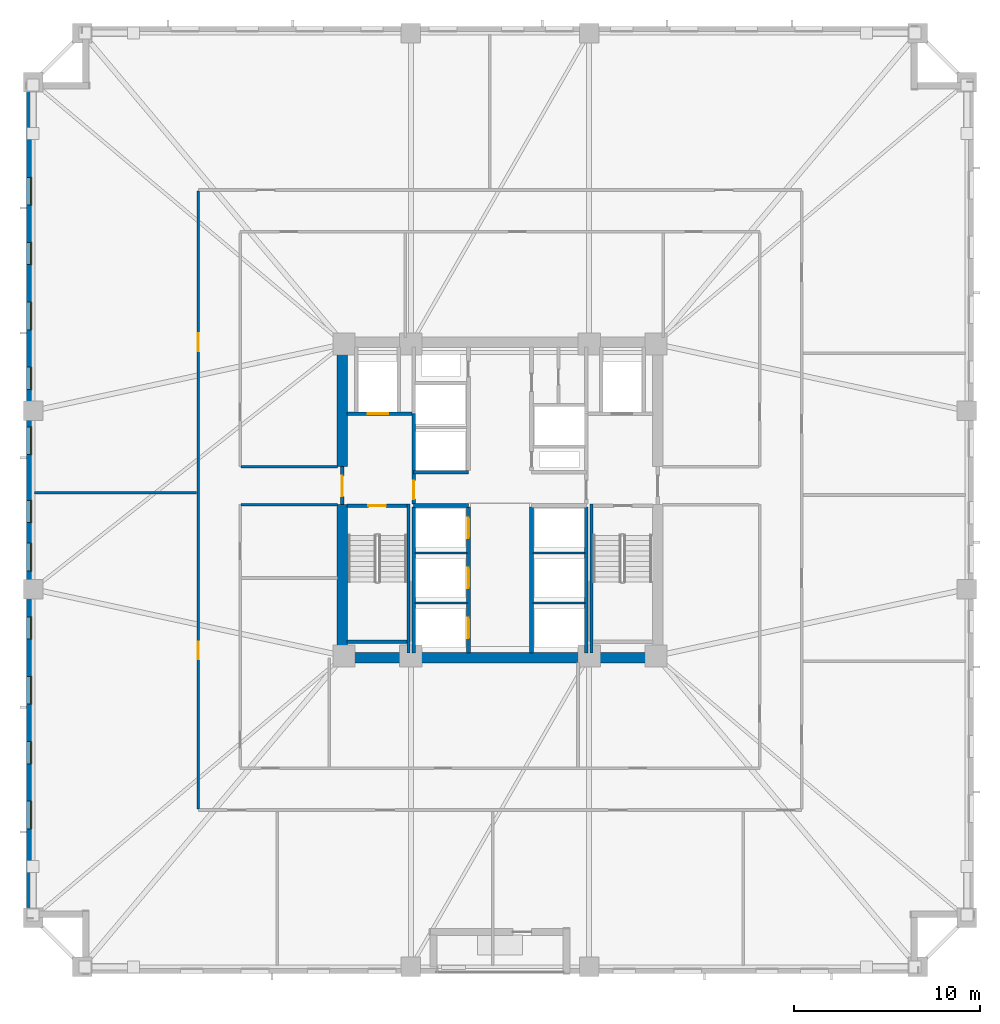
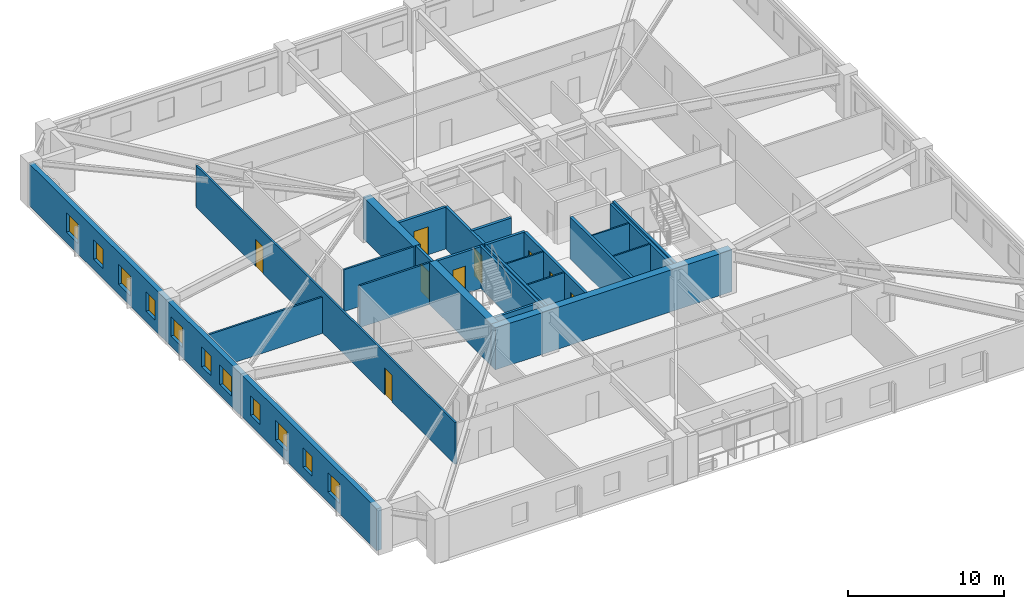
# One storey, part 3 of 11: 25 walls, 11 windows, 9 doors, 20 openings.
"""IFC4 building model written with IfcOpenShell, lengths in metres."""

from ifc_helpers import new_model, si_unit, direction, frame, frame_2d, origin, place, context, subcontext, project, spatial, rectangle, extrude, material, layer, layer_set, type_object, element, fill, save


model = new_model("IFC4")

# Units and contexts
model_context = context("Model", 3, precision=1e-05, world=origin(), true_north=direction((0.0, 1.0)))
body_context = subcontext(model_context, "Body", "Model", "MODEL_VIEW")
ifc_project = project(units=[si_unit("LENGTHUNIT", "METRE"), si_unit("AREAUNIT", "SQUARE_METRE"), si_unit("VOLUMEUNIT", "CUBIC_METRE"), si_unit("PLANEANGLEUNIT", "RADIAN"), si_unit("MASSUNIT", "GRAM", prefix="KILO")], contexts=[model_context])

# Site, building, storey
site_placement = place(None, origin())
site = spatial("IfcSite", under=ifc_project, at=site_placement, CompositionType="ELEMENT")
building_placement = place(site_placement, origin())
building = spatial("IfcBuilding", under=site, at=building_placement, Name="Cairnveth Concourse Tower", CompositionType="ELEMENT")
storey_placement = place(building_placement, frame((0.0, 0.0, 37.5)))
storey = spatial("IfcBuildingStorey", under=building, at=storey_placement, Name="L09", CompositionType="ELEMENT", Elevation=37.5)

# Walls
ifc_material_1 = material(Name="Concrete N80 (80 MPa)", Category="concrete")
ifc_layer_1 = layer(ifc_material_1, 0.550048828125)
ifc_layer_set_1 = layer_set([ifc_layer_1], Name="Concrete N80 (80 MPa)")
wall_type_1 = type_object("IfcWallType", Name="CORE SHEAR WALL 550", PredefinedType="SHEAR", material=ifc_layer_set_1)
wall_1_placement = place(storey_placement, frame((43.22509765625, 30.5, 0.0), z_axis=(0.0, 0.0, 1.0), x_axis=(1.0, 0.0, 0.0)))
element("IfcWall", 1, at=wall_1_placement, inside=storey, type_object=wall_type_1, Name="Core South Shear Wall L09", PredefinedType="SHEAR", context=body_context, shape_type="SweptSolid", body=[
    extrude(rectangle(XDim=17.5498046875, YDim=0.550048828125, at=frame_2d((8.77490234375, 0.0))), origin(), (0.0, 0.0, 1.0), 3.280029296875),
])
wall_2_placement = place(storey_placement, frame((43.5, 30.764892578125, 0.0), z_axis=(0.0, 0.0, 1.0), x_axis=(0.0, 1.0, 0.0)))
element("IfcWall", 2, at=wall_2_placement, inside=storey, type_object=wall_type_1, Name="Core West Shear Wall S L09", PredefinedType="SHEAR", context=body_context, shape_type="SweptSolid", body=[
    extrude(rectangle(XDim=7.985107421875, YDim=0.550048828125, at=frame_2d((3.99267578125, 0.0))), origin(), (0.0, 0.0, 1.0), 3.280029296875),
])
wall_3_placement = place(storey_placement, frame((43.5, 40.800048828125, 0.0), z_axis=(0.0, 0.0, 1.0), x_axis=(0.0, 1.0, 0.0)))
element("IfcWall", 3, at=wall_3_placement, inside=storey, type_object=wall_type_1, Name="Core West Shear Wall N L09", PredefinedType="SHEAR", context=body_context, shape_type="SweptSolid", body=[
    extrude(rectangle(XDim=6.43505859375, YDim=0.550048828125, at=frame_2d((3.217529296875, 0.0))), origin(), (0.0, 0.0, 1.0), 3.280029296875),
])
ifc_material_2 = material(Name="Concrete N50 (50 MPa)", Category="concrete")
ifc_layer_2 = layer(ifc_material_2, 0.179931640625)
ifc_layer_set_2 = layer_set([ifc_layer_2], Name="Concrete N50 (50 MPa)")
wall_type_2 = type_object("IfcWallType", Name="FIRE SHAFT WALL 180", PredefinedType="SOLIDWALL", material=ifc_layer_set_2)
for number, where, z_axis, x_axis, name in (
    (4, (47.35009765625, 30.760009765625, 0.0), (0.0, 0.0, 1.0), (0.0, 1.0, 0.0), "Interior Wall IW-L09-025"),
    (5, (56.64990234375, 30.760009765625, 0.0), (0.0, 0.0, 1.0), (0.0, 1.0, 0.0), "Interior Wall IW-L09-028"),
):
    element("IfcWall", number, at=place(storey_placement, frame(where, z_axis=z_axis, x_axis=x_axis)), inside=storey, type_object=wall_type_2, Name=name, PredefinedType="SOLIDWALL", context=body_context, shape_type="SweptSolid", body=[
        extrude(rectangle(XDim=7.85498046875, YDim=0.179931640625, at=frame_2d((3.927490234375, 0.0))), origin(), (0.0, 0.0, 1.0), 3.280029296875),
    ])

# Wall, opening, door
wall_4_placement = place(storey_placement, frame((43.764892578125, 38.68994140625, 0.0), z_axis=(0.0, 0.0, 1.0), x_axis=(1.0, 0.0, 0.0)))
wall_4 = element("IfcWall", 6, at=wall_4_placement, inside=storey, type_object=wall_type_2, Name="Stair ST-1 Shaft Wall NEAR L09", PredefinedType="SOLIDWALL", context=body_context, shape_type="SweptSolid", body=[
    extrude(rectangle(XDim=3.230224609375, YDim=0.179931640625, at=frame_2d((1.615234375, 0.0))), origin(), (0.0, 0.0, 1.0), 3.280029296875),
])
opening_1_placement = place(wall_4_placement, frame((1.139892578125, 0.0, 0.0)))
opening_1 = element("IfcOpeningElement", 7, at=opening_1_placement, cuts=wall_4, Name="Opening ID12", PredefinedType="OPENING", context=body_context, shape_type="SweptSolid", body=[
    extrude(rectangle(XDim=0.949951171875, YDim=2.14990234375, at=frame_2d((0.47509765625, 1.074951171875))), frame((0.0, 0.099853515625, 0.0), z_axis=(0.0, -1.0, 0.0), x_axis=(1.0, 0.0, 0.0)), (0.0, 0.0, 1.0), 0.199951171875),
])
ifc_material_3 = material(Name="Steel Grade 350", Category="steel")
door_type_1 = type_object("IfcDoorType", Name="FIRE STAIR DOOR 950X2150", OperationType="NOTDEFINED", PredefinedType="DOOR", material=ifc_material_3)
door_1_placement = place(opening_1_placement, origin())
door_1 = element("IfcDoor", 8, at=door_1_placement, inside=storey, type_object=door_type_1, Name="Stair ST-1 Fire Door L09", OperationType="SINGLE_SWING_LEFT", OverallHeight=2.14990234375, OverallWidth=0.949951171875, PredefinedType="DOOR", context=body_context, shape_type="SweptSolid", body=[
    extrude(rectangle(XDim=0.949951171875, YDim=2.14990234375, at=frame_2d((0.47509765625, 1.074951171875))), frame((0.0, 0.02490234375, 0.0), z_axis=(0.0, -1.0, 0.0), x_axis=(1.0, 0.0, 0.0)), (0.0, 0.0, 1.0), 0.050048828125),
])
fill(opening_1, door_1)

# Walls
wall_5_placement = place(storey_placement, frame((43.764892578125, 31.360107421875, 0.0), z_axis=(0.0, 0.0, 1.0), x_axis=(1.0, 0.0, 0.0)))
element("IfcWall", 9, at=wall_5_placement, inside=storey, type_object=wall_type_2, Name="Stair ST-1 Shaft Wall FAR L09", PredefinedType="SOLIDWALL", context=body_context, shape_type="SweptSolid", body=[
    extrude(rectangle(XDim=3.230224609375, YDim=0.179931640625, at=frame_2d((1.615234375, 0.0))), origin(), (0.0, 0.0, 1.0), 3.280029296875),
])
for number, where, z_axis, x_axis, name in (
    (10, (47.070068359375, 38.780029296875, 0.0), (0.0, 0.0, 1.0), (0.0, -1.0, 0.0), "Stair ST-1 Shaft Wall RGHT L09"),
    (11, (56.929931640625, 38.780029296875, 0.0), (0.0, 0.0, 1.0), (0.0, -1.0, 0.0), "Stair ST-2 Shaft Wall LEFT L09"),
):
    element("IfcWall", number, at=place(storey_placement, frame(where, z_axis=z_axis, x_axis=x_axis)), inside=storey, type_object=wall_type_2, Name=name, PredefinedType="SOLIDWALL", context=body_context, shape_type="SweptSolid", body=[
        extrude(rectangle(XDim=8.01708984375, YDim=0.179931640625, at=frame_2d((4.008544921875, 0.0))), origin(), (0.0, 0.0, 1.0), 3.280029296875),
    ])
ifc_layer_3 = layer(ifc_material_2, 0.199951171875)
ifc_layer_set_3 = layer_set([ifc_layer_3], Name="Concrete N50 (50 MPa)")
wall_type_3 = type_object("IfcWallType", Name="FIRE SHAFT WALL 200", PredefinedType="SOLIDWALL", material=ifc_layer_set_3)
for number, where, z_axis, x_axis, name in (
    (12, (47.35009765625, 38.699951171875, 0.0), (0.0, 0.0, 1.0), (1.0, 0.0, 0.0), "Interior Wall IW-L09-007"),
    (13, (47.35009765625, 40.5, 0.0), (0.0, 0.0, 1.0), (1.0, 0.0, 0.0), "Interior Wall IW-L09-008"),
):
    element("IfcWall", number, at=place(storey_placement, frame(where, z_axis=z_axis, x_axis=x_axis)), inside=storey, type_object=wall_type_3, Name=name, PredefinedType="SOLIDWALL", context=body_context, shape_type="SweptSolid", body=[
        extrude(rectangle(XDim=2.949951171875, YDim=0.199951171875, at=frame_2d((1.47509765625, 0.0))), origin(), (0.0, 0.0, 1.0), 3.280029296875),
    ])

# Wall, openings, doors
wall_6_placement = place(storey_placement, frame((50.300048828125, 30.760009765625, 0.0), z_axis=(0.0, 0.0, 1.0), x_axis=(0.0, 1.0, 0.0)))
wall_6 = element("IfcWall", 14, at=wall_6_placement, inside=storey, type_object=wall_type_3, Name="Interior Wall IW-L09-011", PredefinedType="SOLIDWALL", context=body_context, shape_type="SweptSolid", body=[
    extrude(rectangle(XDim=7.85498046875, YDim=0.199951171875, at=frame_2d((3.927490234375, 0.0))), origin(), (0.0, 0.0, 1.0), 3.280029296875),
])
opening_2_placement = place(wall_6_placement, frame((0.7900390625, 0.0, 0.0)))
opening_2 = element("IfcOpeningElement", 15, at=opening_2_placement, cuts=wall_6, Name="Opening LD-1", PredefinedType="OPENING", context=body_context, shape_type="SweptSolid", body=[
    extrude(rectangle(XDim=1.10009765625, YDim=2.199951171875, at=frame_2d((0.550048828125, 1.10009765625))), frame((0.0, 0.10986328125, 0.0), z_axis=(0.0, -1.0, 0.0), x_axis=(1.0, 0.0, 0.0)), (0.0, 0.0, 1.0), 0.219970703125),
])
opening_3_placement = place(wall_6_placement, frame((3.489990234375, 0.0, 0.0)))
opening_3 = element("IfcOpeningElement", 16, at=opening_3_placement, cuts=wall_6, Name="Opening LD-1", PredefinedType="OPENING", context=body_context, shape_type="SweptSolid", body=[
    extrude(rectangle(XDim=1.10009765625, YDim=2.199951171875, at=frame_2d((0.550048828125, 1.10009765625))), frame((0.0, 0.10986328125, 0.0), z_axis=(0.0, -1.0, 0.0), x_axis=(1.0, 0.0, 0.0)), (0.0, 0.0, 1.0), 0.219970703125),
])
opening_4_placement = place(wall_6_placement, frame((6.18994140625, 0.0, 0.0)))
opening_4 = element("IfcOpeningElement", 17, at=opening_4_placement, cuts=wall_6, Name="Opening LD-1", PredefinedType="OPENING", context=body_context, shape_type="SweptSolid", body=[
    extrude(rectangle(XDim=1.10009765625, YDim=2.199951171875, at=frame_2d((0.550048828125, 1.10009765625))), frame((0.0, 0.10986328125, 0.0), z_axis=(0.0, -1.0, 0.0), x_axis=(1.0, 0.0, 0.0)), (0.0, 0.0, 1.0), 0.219970703125),
])
ifc_material_4 = material(Name="Architectural Bronze Anodised Aluminium 6063-T6", Category="aluminium")
door_type_2 = type_object("IfcDoorType", Name="LIFT LANDING DOOR 1100X2200", OperationType="SLIDING_TO_LEFT", PredefinedType="DOOR", material=ifc_material_4)
door_2_placement = place(opening_2_placement, origin())
door_2 = element("IfcDoor", 18, at=door_2_placement, inside=storey, type_object=door_type_2, Name="Lift PL1 Landing Door L09", OperationType="SLIDING_TO_LEFT", OverallHeight=2.199951171875, OverallWidth=1.10009765625, PredefinedType="DOOR", context=body_context, shape_type="SweptSolid", body=[
    extrude(rectangle(XDim=1.10009765625, YDim=2.199951171875, at=frame_2d((0.550048828125, 1.10009765625))), frame((0.0, 0.02490234375, 0.0), z_axis=(0.0, -1.0, 0.0), x_axis=(1.0, 0.0, 0.0)), (0.0, 0.0, 1.0), 0.050048828125),
])
fill(opening_2, door_2)
door_3_placement = place(opening_3_placement, origin())
door_3 = element("IfcDoor", 19, at=door_3_placement, inside=storey, type_object=door_type_2, Name="Lift PL2 Landing Door L09", OperationType="SLIDING_TO_LEFT", OverallHeight=2.199951171875, OverallWidth=1.10009765625, PredefinedType="DOOR", context=body_context, shape_type="SweptSolid", body=[
    extrude(rectangle(XDim=1.10009765625, YDim=2.199951171875, at=frame_2d((0.550048828125, 1.10009765625))), frame((0.0, 0.02490234375, 0.0), z_axis=(0.0, -1.0, 0.0), x_axis=(1.0, 0.0, 0.0)), (0.0, 0.0, 1.0), 0.050048828125),
])
fill(opening_3, door_3)
door_4_placement = place(opening_4_placement, origin())
door_4 = element("IfcDoor", 20, at=door_4_placement, inside=storey, type_object=door_type_2, Name="Lift PL3 Landing Door L09", OperationType="SLIDING_TO_LEFT", OverallHeight=2.199951171875, OverallWidth=1.10009765625, PredefinedType="DOOR", context=body_context, shape_type="SweptSolid", body=[
    extrude(rectangle(XDim=1.10009765625, YDim=2.199951171875, at=frame_2d((0.550048828125, 1.10009765625))), frame((0.0, 0.02490234375, 0.0), z_axis=(0.0, -1.0, 0.0), x_axis=(1.0, 0.0, 0.0)), (0.0, 0.0, 1.0), 0.050048828125),
])
fill(opening_4, door_4)

# Wall
wall_7_placement = place(storey_placement, frame((53.699951171875, 30.760009765625, 0.0), z_axis=(0.0, 0.0, 1.0), x_axis=(0.0, 1.0, 0.0)))
element("IfcWall", 21, at=wall_7_placement, inside=storey, type_object=wall_type_3, Name="Interior Wall IW-L09-012", PredefinedType="SOLIDWALL", context=body_context, shape_type="SweptSolid", body=[
    extrude(rectangle(XDim=7.85498046875, YDim=0.199951171875, at=frame_2d((3.927490234375, 0.0))), origin(), (0.0, 0.0, 1.0), 3.280029296875),
])

# Wall, opening, door
wall_8_placement = place(storey_placement, frame((43.5, 38.75, 0.0), z_axis=(0.0, 0.0, 1.0), x_axis=(0.0, 1.0, 0.0)))
wall_8 = element("IfcWall", 22, at=wall_8_placement, inside=storey, type_object=wall_type_3, Name="Interior Wall IW-L09-015", PredefinedType="SOLIDWALL", context=body_context, shape_type="SweptSolid", body=[
    extrude(rectangle(XDim=2.050048828125, YDim=0.199951171875, at=frame_2d((1.02490234375, 0.0))), origin(), (0.0, 0.0, 1.0), 3.280029296875),
])
opening_5_placement = place(wall_8_placement, frame((0.449951171875, 0.0, 0.0)))
opening_5 = element("IfcOpeningElement", 23, at=opening_5_placement, cuts=wall_8, Name="Opening ID06", PredefinedType="OPENING", context=body_context, shape_type="SweptSolid", body=[
    extrude(rectangle(XDim=1.10009765625, YDim=2.14990234375, at=frame_2d((0.550048828125, 1.074951171875))), frame((0.0, 0.10986328125, 0.0), z_axis=(0.0, -1.0, 0.0), x_axis=(1.0, 0.0, 0.0)), (0.0, 0.0, 1.0), 0.219970703125),
])
door_type_3 = type_object("IfcDoorType", Name="FIRE CORRIDOR DOOR 1100X2150", OperationType="NOTDEFINED", PredefinedType="DOOR", material=ifc_material_3)
door_5_placement = place(opening_5_placement, origin())
door_5 = element("IfcDoor", 24, at=door_5_placement, inside=storey, type_object=door_type_3, Name="West Wing to FF Lobby Door L09", OperationType="SINGLE_SWING_LEFT", OverallHeight=2.14990234375, OverallWidth=1.10009765625, PredefinedType="DOOR", context=body_context, shape_type="SweptSolid", body=[
    extrude(rectangle(XDim=1.10009765625, YDim=2.14990234375, at=frame_2d((0.550048828125, 1.074951171875))), frame((0.0, 0.02490234375, 0.0), z_axis=(0.0, -1.0, 0.0), x_axis=(1.0, 0.0, 0.0)), (0.0, 0.0, 1.0), 0.050048828125),
])
fill(opening_5, door_5)

wall_9_placement = place(storey_placement, frame((47.35009765625, 38.784912109375, 0.0), z_axis=(0.0, 0.0, 1.0), x_axis=(0.0, 1.0, 0.0)))
wall_9 = element("IfcWall", 25, at=wall_9_placement, inside=storey, type_object=wall_type_3, Name="Interior Wall IW-L09-016", PredefinedType="SOLIDWALL", context=body_context, shape_type="SweptSolid", body=[
    extrude(rectangle(XDim=4.864990234375, YDim=0.199951171875, at=frame_2d((2.4326171875, 0.0))), origin(), (0.0, 0.0, 1.0), 3.280029296875),
])
opening_6_placement = place(wall_9_placement, frame((0.264892578125, 0.0, 0.0)))
opening_6 = element("IfcOpeningElement", 26, at=opening_6_placement, cuts=wall_9, Name="Opening ID07", PredefinedType="OPENING", context=body_context, shape_type="SweptSolid", body=[
    extrude(rectangle(XDim=1.0, YDim=2.14990234375, at=frame_2d((0.5, 1.074951171875))), frame((0.0, 0.10986328125, 0.0), z_axis=(0.0, -1.0, 0.0), x_axis=(1.0, 0.0, 0.0)), (0.0, 0.0, 1.0), 0.219970703125),
])
door_type_4 = type_object("IfcDoorType", Name="FIRE CORRIDOR DOOR 1000X2150", OperationType="NOTDEFINED", PredefinedType="DOOR", material=ifc_material_3)
door_6_placement = place(opening_6_placement, origin())
door_6 = element("IfcDoor", 27, at=door_6_placement, inside=storey, type_object=door_type_4, Name="FF Lobby West to Lift Lobby Door L09", OperationType="SINGLE_SWING_RIGHT", OverallHeight=2.14990234375, OverallWidth=1.0, PredefinedType="DOOR", context=body_context, shape_type="SweptSolid", body=[
    extrude(rectangle(XDim=1.0, YDim=2.14990234375, at=frame_2d((0.5, 1.074951171875))), frame((0.0, 0.02490234375, 0.0), z_axis=(0.0, -1.0, 0.0), x_axis=(1.0, 0.0, 0.0)), (0.0, 0.0, 1.0), 0.050048828125),
])
fill(opening_6, door_6)

wall_10_placement = place(storey_placement, frame((43.760009765625, 43.64990234375, 0.0), z_axis=(0.0, 0.0, 1.0), x_axis=(1.0, 0.0, 0.0)))
wall_10 = element("IfcWall", 28, at=wall_10_placement, inside=storey, type_object=wall_type_3, Name="Interior Wall IW-L09-017", PredefinedType="SOLIDWALL", context=body_context, shape_type="SweptSolid", body=[
    extrude(rectangle(XDim=3.5048828125, YDim=0.199951171875, at=frame_2d((1.75244140625, 0.0))), origin(), (0.0, 0.0, 1.0), 3.280029296875),
])
opening_7_placement = place(wall_10_placement, frame((1.110107421875, 0.0, 0.0)))
opening_7 = element("IfcOpeningElement", 29, at=opening_7_placement, cuts=wall_10, Name="Opening LD-1", PredefinedType="OPENING", context=body_context, shape_type="SweptSolid", body=[
    extrude(rectangle(XDim=1.10009765625, YDim=2.199951171875, at=frame_2d((0.550048828125, 1.10009765625))), frame((0.0, 0.10986328125, 0.0), z_axis=(0.0, -1.0, 0.0), x_axis=(1.0, 0.0, 0.0)), (0.0, 0.0, 1.0), 0.219970703125),
])
door_7_placement = place(opening_7_placement, origin())
door_7 = element("IfcDoor", 30, at=door_7_placement, inside=storey, type_object=door_type_2, Name="Lift FFL1 Landing Door L09", OperationType="SLIDING_TO_LEFT", OverallHeight=2.199951171875, OverallWidth=1.10009765625, PredefinedType="DOOR", context=body_context, shape_type="SweptSolid", body=[
    extrude(rectangle(XDim=1.10009765625, YDim=2.199951171875, at=frame_2d((0.550048828125, 1.10009765625))), frame((0.0, 0.02490234375, 0.0), z_axis=(0.0, -1.0, 0.0), x_axis=(1.0, 0.0, 0.0)), (0.0, 0.0, 1.0), 0.050048828125),
])
fill(opening_7, door_7)

# Wall, openings, doors
ifc_material_5 = material(Name="Gypsum Plasterboard Partition", Category="gypsum")
ifc_layer_4 = layer(ifc_material_5, 0.139892578125)
ifc_layer_set_4 = layer_set([ifc_layer_4], Name="Gypsum Plasterboard Partition")
wall_type_4 = type_object("IfcWallType", Name="GYPSUM STUD PARTITION 140", PredefinedType="PARTITIONING", material=ifc_layer_set_4)
wall_11_placement = place(storey_placement, frame((35.75, 22.35498046875, 0.0), z_axis=(0.0, 0.0, 1.0), x_axis=(0.0, 1.0, 0.0)))
wall_11 = element("IfcWall", 31, at=wall_11_placement, inside=storey, type_object=wall_type_4, Name="Interior Wall IW-L09-040", PredefinedType="PARTITIONING", context=body_context, shape_type="SweptSolid", body=[
    extrude(rectangle(XDim=33.2900390625, YDim=0.139892578125, at=frame_2d((16.64501953125, 0.0))), origin(), (0.0, 0.0, 1.0), 3.280029296875),
])
opening_8_placement = place(wall_11_placement, frame((8.058349609375, 0.0, 0.0)))
opening_8 = element("IfcOpeningElement", 32, at=opening_8_placement, cuts=wall_11, Name="Opening ID11", PredefinedType="OPENING", context=body_context, shape_type="SweptSolid", body=[
    extrude(rectangle(XDim=0.9599609375, YDim=2.1201171875, at=frame_2d((0.47998046875, 1.06005859375))), frame((0.0, 0.079833984375, 0.0), z_axis=(0.0, -1.0, 0.0), x_axis=(1.0, 0.0, 0.0)), (0.0, 0.0, 1.0), 0.159912109375),
])
opening_9_placement = place(wall_11_placement, frame((24.658203125, 0.0, 0.0)))
opening_9 = element("IfcOpeningElement", 33, at=opening_9_placement, cuts=wall_11, Name="Opening ID11", PredefinedType="OPENING", context=body_context, shape_type="SweptSolid", body=[
    extrude(rectangle(XDim=0.9599609375, YDim=2.1201171875, at=frame_2d((0.47998046875, 1.06005859375))), frame((0.0, 0.079833984375, 0.0), z_axis=(0.0, -1.0, 0.0), x_axis=(1.0, 0.0, 0.0)), (0.0, 0.0, 1.0), 0.159912109375),
])
ifc_material_6 = material(Name="Solid Core Hardwood Timber Leaf", Category="wood")
door_type_5 = type_object("IfcDoorType", Name="INTERIOR SINGLE DOOR 960X2150", OperationType="NOTDEFINED", PredefinedType="DOOR", material=ifc_material_6)
door_8_placement = place(opening_8_placement, origin())
door_8 = element("IfcDoor", 34, at=door_8_placement, inside=storey, type_object=door_type_5, Name="Office Door L09-W1", OperationType="SINGLE_SWING_LEFT", OverallHeight=2.1201171875, OverallWidth=0.9599609375, PredefinedType="DOOR", context=body_context, shape_type="SweptSolid", body=[
    extrude(rectangle(XDim=0.9599609375, YDim=2.1201171875, at=frame_2d((0.47998046875, 1.06005859375))), frame((0.0, 0.02490234375, 0.0), z_axis=(0.0, -1.0, 0.0), x_axis=(1.0, 0.0, 0.0)), (0.0, 0.0, 1.0), 0.050048828125),
])
fill(opening_8, door_8)
door_9_placement = place(opening_9_placement, origin())
door_9 = element("IfcDoor", 35, at=door_9_placement, inside=storey, type_object=door_type_5, Name="Office Door L09-W2", OperationType="SINGLE_SWING_RIGHT", OverallHeight=2.1201171875, OverallWidth=0.9599609375, PredefinedType="DOOR", context=body_context, shape_type="SweptSolid", body=[
    extrude(rectangle(XDim=0.9599609375, YDim=2.1201171875, at=frame_2d((0.47998046875, 1.06005859375))), frame((0.0, 0.02490234375, 0.0), z_axis=(0.0, -1.0, 0.0), x_axis=(1.0, 0.0, 0.0)), (0.0, 0.0, 1.0), 0.050048828125),
])
fill(opening_9, door_9)

# Walls
for number, where, z_axis, x_axis, name in (
    (36, (38.054931640625, 38.75, 0.0), (0.0, 0.0, 1.0), (1.0, 0.0, 0.0), "Interior Wall IW-L09-046"),
    (37, (38.054931640625, 40.800048828125, 0.0), (0.0, 0.0, 1.0), (1.0, 0.0, 0.0), "Interior Wall IW-L09-047"),
):
    element("IfcWall", number, at=place(storey_placement, frame(where, z_axis=z_axis, x_axis=x_axis)), inside=storey, type_object=wall_type_4, Name=name, PredefinedType="PARTITIONING", context=body_context, shape_type="SweptSolid", body=[
        extrude(rectangle(XDim=5.18505859375, YDim=0.139892578125, at=frame_2d((2.592529296875, 0.0))), origin(), (0.0, 0.0, 1.0), 3.280029296875),
    ])
wall_12_placement = place(storey_placement, frame((26.919921875, 39.38671875, 0.0), z_axis=(0.0, 0.0, 1.0), x_axis=(1.0, 0.0, 0.0)))
element("IfcWall", 38, at=wall_12_placement, inside=storey, type_object=wall_type_4, Name="Interior Wall IW-L09-061", PredefinedType="PARTITIONING", context=body_context, shape_type="SweptSolid", body=[
    extrude(rectangle(XDim=8.72998046875, YDim=0.139892578125, at=frame_2d((4.364990234375, 0.0))), origin(), (0.0, 0.0, 1.0), 2.84912109375),
])
ifc_layer_5 = layer(ifc_material_5, 0.110107421875)
ifc_layer_set_5 = layer_set([ifc_layer_5], Name="Gypsum Plasterboard Partition")
wall_type_5 = type_object("IfcWallType", Name="SHAFT DIVIDER WALL 140", PredefinedType="PARTITIONING", material=ifc_layer_set_5)
for number, where, z_axis, x_axis, name in (
    (39, (47.425048828125, 33.449951171875, 0.0), (0.0, 0.0, 1.0), (1.0, 0.0, 0.0), "Interior Wall IW-L09-026"),
    (40, (47.425048828125, 36.14990234375, 0.0), (0.0, 0.0, 1.0), (1.0, 0.0, 0.0), "Interior Wall IW-L09-027"),
    (41, (53.784912109375, 33.449951171875, 0.0), (0.0, 0.0, 1.0), (1.0, 0.0, 0.0), "Interior Wall IW-L09-029"),
    (42, (53.784912109375, 36.14990234375, 0.0), (0.0, 0.0, 1.0), (1.0, 0.0, 0.0), "Interior Wall IW-L09-030"),
):
    element("IfcWall", number, at=place(storey_placement, frame(where, z_axis=z_axis, x_axis=x_axis)), inside=storey, type_object=wall_type_5, Name=name, PredefinedType="PARTITIONING", context=body_context, shape_type="SweptSolid", body=[
        extrude(rectangle(XDim=2.7900390625, YDim=0.110107421875, at=frame_2d((1.39501953125, 0.0))), origin(), (0.0, 0.0, 1.0), 3.280029296875),
    ])

# Wall, openings, windows
ifc_material_7 = material(Name="Hawthorn Red-Ochre Fired Clay Brick Masonry", Category="masonry")
ifc_layer_6 = layer(ifc_material_7, 0.360107421875)
ifc_layer_set_6 = layer_set([ifc_layer_6], Name="Hawthorn Red-Ochre Fired Clay Brick Masonry")
wall_type_6 = type_object("IfcWallType", Name="ZONE 1 BRICK PIER SPANDREL WALL 360", PredefinedType="SOLIDWALL", material=ifc_layer_set_6)
wall_13_placement = place(storey_placement, frame((26.679931640625, 16.5, 0.0), z_axis=(0.0, 0.0, 1.0), x_axis=(0.0, 1.0, 0.0)))
wall_13 = element("IfcWall", 43, at=wall_13_placement, inside=storey, type_object=wall_type_6, Name="Exterior Wall EW-L09-S03", PredefinedType="SOLIDWALL", context=body_context, shape_type="SweptSolid", body=[
    extrude(rectangle(XDim=44.662109375, YDim=0.360107421875, at=frame_2d((22.3310546875, 0.0))), origin(), (0.0, 0.0, 1.0), 3.280029296875),
])
opening_10_placement = place(wall_13_placement, frame((4.780029296875, 0.0, 0.800048828125)))
opening_10 = element("IfcOpeningElement", 44, at=opening_10_placement, cuts=wall_13, Name="Opening W03", PredefinedType="OPENING", context=body_context, shape_type="SweptSolid", body=[
    extrude(rectangle(XDim=1.5, YDim=1.5439453125, at=frame_2d((0.75, 0.77197265625))), frame((0.0, 0.18994140625, 0.0), z_axis=(0.0, -1.0, 0.0), x_axis=(1.0, 0.0, 0.0)), (0.0, 0.0, 1.0), 0.380126953125),
])
opening_11_placement = place(wall_13_placement, frame((8.290283203125, 0.0, 0.800048828125)))
opening_11 = element("IfcOpeningElement", 45, at=opening_11_placement, cuts=wall_13, Name="Opening W01", PredefinedType="OPENING", context=body_context, shape_type="SweptSolid", body=[
    extrude(rectangle(XDim=1.199951171875, YDim=1.5439453125, at=frame_2d((0.60009765625, 0.77197265625))), frame((0.0, 0.18994140625, 0.0), z_axis=(0.0, -1.0, 0.0), x_axis=(1.0, 0.0, 0.0)), (0.0, 0.0, 1.0), 0.380126953125),
])
opening_12_placement = place(wall_13_placement, frame((11.50048828125, 0.0, 0.800048828125)))
opening_12 = element("IfcOpeningElement", 46, at=opening_12_placement, cuts=wall_13, Name="Opening W03", PredefinedType="OPENING", context=body_context, shape_type="SweptSolid", body=[
    extrude(rectangle(XDim=1.5, YDim=1.5439453125, at=frame_2d((0.75, 0.77197265625))), frame((0.0, 0.18994140625, 0.0), z_axis=(0.0, -1.0, 0.0), x_axis=(1.0, 0.0, 0.0)), (0.0, 0.0, 1.0), 0.380126953125),
])
opening_13_placement = place(wall_13_placement, frame((15.010498046875, 0.0, 0.800048828125)))
opening_13 = element("IfcOpeningElement", 47, at=opening_13_placement, cuts=wall_13, Name="Opening W01", PredefinedType="OPENING", context=body_context, shape_type="SweptSolid", body=[
    extrude(rectangle(XDim=1.199951171875, YDim=1.5439453125, at=frame_2d((0.60009765625, 0.77197265625))), frame((0.0, 0.18994140625, 0.0), z_axis=(0.0, -1.0, 0.0), x_axis=(1.0, 0.0, 0.0)), (0.0, 0.0, 1.0), 0.380126953125),
])
opening_14_placement = place(wall_13_placement, frame((18.6708984375, 0.0, 0.800048828125)))
opening_14 = element("IfcOpeningElement", 48, at=opening_14_placement, cuts=wall_13, Name="Opening W03", PredefinedType="OPENING", context=body_context, shape_type="SweptSolid", body=[
    extrude(rectangle(XDim=1.5, YDim=1.5439453125, at=frame_2d((0.75, 0.77197265625))), frame((0.0, 0.18994140625, 0.0), z_axis=(0.0, -1.0, 0.0), x_axis=(1.0, 0.0, 0.0)), (0.0, 0.0, 1.0), 0.380126953125),
])
opening_15_placement = place(wall_13_placement, frame((21.281005859375, 0.0, 0.800048828125)))
opening_15 = element("IfcOpeningElement", 49, at=opening_15_placement, cuts=wall_13, Name="Opening W01", PredefinedType="OPENING", context=body_context, shape_type="SweptSolid", body=[
    extrude(rectangle(XDim=1.199951171875, YDim=1.5439453125, at=frame_2d((0.60009765625, 0.77197265625))), frame((0.0, 0.18994140625, 0.0), z_axis=(0.0, -1.0, 0.0), x_axis=(1.0, 0.0, 0.0)), (0.0, 0.0, 1.0), 0.380126953125),
])
opening_16_placement = place(wall_13_placement, frame((24.941162109375, 0.0, 0.800048828125)))
opening_16 = element("IfcOpeningElement", 50, at=opening_16_placement, cuts=wall_13, Name="Opening W03", PredefinedType="OPENING", context=body_context, shape_type="SweptSolid", body=[
    extrude(rectangle(XDim=1.5, YDim=1.5439453125, at=frame_2d((0.75, 0.77197265625))), frame((0.0, 0.18994140625, 0.0), z_axis=(0.0, -1.0, 0.0), x_axis=(1.0, 0.0, 0.0)), (0.0, 0.0, 1.0), 0.380126953125),
])
opening_17_placement = place(wall_13_placement, frame((28.451416015625, 0.0, 0.800048828125)))
opening_17 = element("IfcOpeningElement", 51, at=opening_17_placement, cuts=wall_13, Name="Opening W01", PredefinedType="OPENING", context=body_context, shape_type="SweptSolid", body=[
    extrude(rectangle(XDim=1.199951171875, YDim=1.5439453125, at=frame_2d((0.60009765625, 0.77197265625))), frame((0.0, 0.18994140625, 0.0), z_axis=(0.0, -1.0, 0.0), x_axis=(1.0, 0.0, 0.0)), (0.0, 0.0, 1.0), 0.380126953125),
])
opening_18_placement = place(wall_13_placement, frame((31.66162109375, 0.0, 0.800048828125)))
opening_18 = element("IfcOpeningElement", 52, at=opening_18_placement, cuts=wall_13, Name="Opening W03", PredefinedType="OPENING", context=body_context, shape_type="SweptSolid", body=[
    extrude(rectangle(XDim=1.5, YDim=1.5439453125, at=frame_2d((0.75, 0.77197265625))), frame((0.0, 0.18994140625, 0.0), z_axis=(0.0, -1.0, 0.0), x_axis=(1.0, 0.0, 0.0)), (0.0, 0.0, 1.0), 0.380126953125),
])
opening_19_placement = place(wall_13_placement, frame((35.171630859375, 0.0, 0.800048828125)))
opening_19 = element("IfcOpeningElement", 53, at=opening_19_placement, cuts=wall_13, Name="Opening W01", PredefinedType="OPENING", context=body_context, shape_type="SweptSolid", body=[
    extrude(rectangle(XDim=1.199951171875, YDim=1.5439453125, at=frame_2d((0.60009765625, 0.77197265625))), frame((0.0, 0.18994140625, 0.0), z_axis=(0.0, -1.0, 0.0), x_axis=(1.0, 0.0, 0.0)), (0.0, 0.0, 1.0), 0.380126953125),
])
opening_20_placement = place(wall_13_placement, frame((38.3818359375, 0.0, 0.800048828125)))
opening_20 = element("IfcOpeningElement", 54, at=opening_20_placement, cuts=wall_13, Name="Opening W03", PredefinedType="OPENING", context=body_context, shape_type="SweptSolid", body=[
    extrude(rectangle(XDim=1.5, YDim=1.5439453125, at=frame_2d((0.75, 0.77197265625))), frame((0.0, 0.18994140625, 0.0), z_axis=(0.0, -1.0, 0.0), x_axis=(1.0, 0.0, 0.0)), (0.0, 0.0, 1.0), 0.380126953125),
])
ifc_material_8 = material(Name="Double Glazed Low-E Clear Glass", Category="glass")
window_type_1 = type_object("IfcWindowType", Name="DEEP-SET GOTHIC LANCET WINDOW 1200X1800", PartitioningType="DOUBLE_PANEL_VERTICAL", PredefinedType="WINDOW", material=ifc_material_8)
window_1_placement = place(opening_11_placement, origin())
window_1 = element("IfcWindow", 55, at=window_1_placement, inside=storey, type_object=window_type_1, Name="Gothic Lancet Window L09-3-2", OverallHeight=1.5439453125, OverallWidth=1.199951171875, PartitioningType="SINGLE_PANEL", PredefinedType="WINDOW", context=body_context, shape_type="SweptSolid", body=[
    extrude(rectangle(XDim=1.199951171875, YDim=1.5439453125, at=frame_2d((0.60009765625, 0.77197265625))), frame((0.0, -0.050048828125, 0.0), z_axis=(0.0, -1.0, 0.0), x_axis=(1.0, 0.0, 0.0)), (0.0, 0.0, 1.0), 0.06005859375),
])
fill(opening_11, window_1)
window_2_placement = place(opening_13_placement, origin())
window_2 = element("IfcWindow", 56, at=window_2_placement, inside=storey, type_object=window_type_1, Name="Gothic Lancet Window L09-3-4", OverallHeight=1.5439453125, OverallWidth=1.199951171875, PartitioningType="SINGLE_PANEL", PredefinedType="WINDOW", context=body_context, shape_type="SweptSolid", body=[
    extrude(rectangle(XDim=1.199951171875, YDim=1.5439453125, at=frame_2d((0.60009765625, 0.77197265625))), frame((0.0, -0.050048828125, 0.0), z_axis=(0.0, -1.0, 0.0), x_axis=(1.0, 0.0, 0.0)), (0.0, 0.0, 1.0), 0.06005859375),
])
fill(opening_13, window_2)
window_3_placement = place(opening_15_placement, origin())
window_3 = element("IfcWindow", 57, at=window_3_placement, inside=storey, type_object=window_type_1, Name="Gothic Lancet Window L09-3-6", OverallHeight=1.5439453125, OverallWidth=1.199951171875, PartitioningType="SINGLE_PANEL", PredefinedType="WINDOW", context=body_context, shape_type="SweptSolid", body=[
    extrude(rectangle(XDim=1.199951171875, YDim=1.5439453125, at=frame_2d((0.60009765625, 0.77197265625))), frame((0.0, -0.050048828125, 0.0), z_axis=(0.0, -1.0, 0.0), x_axis=(1.0, 0.0, 0.0)), (0.0, 0.0, 1.0), 0.06005859375),
])
fill(opening_15, window_3)
window_4_placement = place(opening_17_placement, origin())
window_4 = element("IfcWindow", 58, at=window_4_placement, inside=storey, type_object=window_type_1, Name="Gothic Lancet Window L09-3-8", OverallHeight=1.5439453125, OverallWidth=1.199951171875, PartitioningType="SINGLE_PANEL", PredefinedType="WINDOW", context=body_context, shape_type="SweptSolid", body=[
    extrude(rectangle(XDim=1.199951171875, YDim=1.5439453125, at=frame_2d((0.60009765625, 0.77197265625))), frame((0.0, -0.050048828125, 0.0), z_axis=(0.0, -1.0, 0.0), x_axis=(1.0, 0.0, 0.0)), (0.0, 0.0, 1.0), 0.06005859375),
])
fill(opening_17, window_4)
window_5_placement = place(opening_19_placement, origin())
window_5 = element("IfcWindow", 59, at=window_5_placement, inside=storey, type_object=window_type_1, Name="Gothic Lancet Window L09-3-10", OverallHeight=1.5439453125, OverallWidth=1.199951171875, PartitioningType="SINGLE_PANEL", PredefinedType="WINDOW", context=body_context, shape_type="SweptSolid", body=[
    extrude(rectangle(XDim=1.199951171875, YDim=1.5439453125, at=frame_2d((0.60009765625, 0.77197265625))), frame((0.0, -0.050048828125, 0.0), z_axis=(0.0, -1.0, 0.0), x_axis=(1.0, 0.0, 0.0)), (0.0, 0.0, 1.0), 0.06005859375),
])
fill(opening_19, window_5)
window_type_2 = type_object("IfcWindowType", Name="DEEP-SET GOTHIC LANCET WINDOW 1500X1800", PartitioningType="DOUBLE_PANEL_VERTICAL", PredefinedType="WINDOW", material=ifc_material_8)
window_6_placement = place(opening_10_placement, origin())
window_6 = element("IfcWindow", 60, at=window_6_placement, inside=storey, type_object=window_type_2, Name="Gothic Lancet Window L09-3-1", OverallHeight=1.5439453125, OverallWidth=1.5, PartitioningType="SINGLE_PANEL", PredefinedType="WINDOW", context=body_context, shape_type="SweptSolid", body=[
    extrude(rectangle(XDim=1.5, YDim=1.5439453125, at=frame_2d((0.75, 0.77197265625))), frame((0.0, -0.050048828125, 0.0), z_axis=(0.0, -1.0, 0.0), x_axis=(1.0, 0.0, 0.0)), (0.0, 0.0, 1.0), 0.06005859375),
])
fill(opening_10, window_6)
window_7_placement = place(opening_12_placement, origin())
window_7 = element("IfcWindow", 61, at=window_7_placement, inside=storey, type_object=window_type_2, Name="Gothic Lancet Window L09-3-3", OverallHeight=1.5439453125, OverallWidth=1.5, PartitioningType="SINGLE_PANEL", PredefinedType="WINDOW", context=body_context, shape_type="SweptSolid", body=[
    extrude(rectangle(XDim=1.5, YDim=1.5439453125, at=frame_2d((0.75, 0.77197265625))), frame((0.0, -0.050048828125, 0.0), z_axis=(0.0, -1.0, 0.0), x_axis=(1.0, 0.0, 0.0)), (0.0, 0.0, 1.0), 0.06005859375),
])
fill(opening_12, window_7)
window_8_placement = place(opening_14_placement, origin())
window_8 = element("IfcWindow", 62, at=window_8_placement, inside=storey, type_object=window_type_2, Name="Gothic Lancet Window L09-3-5", OverallHeight=1.5439453125, OverallWidth=1.5, PartitioningType="SINGLE_PANEL", PredefinedType="WINDOW", context=body_context, shape_type="SweptSolid", body=[
    extrude(rectangle(XDim=1.5, YDim=1.5439453125, at=frame_2d((0.75, 0.77197265625))), frame((0.0, -0.050048828125, 0.0), z_axis=(0.0, -1.0, 0.0), x_axis=(1.0, 0.0, 0.0)), (0.0, 0.0, 1.0), 0.06005859375),
])
fill(opening_14, window_8)
window_9_placement = place(opening_16_placement, origin())
window_9 = element("IfcWindow", 63, at=window_9_placement, inside=storey, type_object=window_type_2, Name="Gothic Lancet Window L09-3-7", OverallHeight=1.5439453125, OverallWidth=1.5, PartitioningType="SINGLE_PANEL", PredefinedType="WINDOW", context=body_context, shape_type="SweptSolid", body=[
    extrude(rectangle(XDim=1.5, YDim=1.5439453125, at=frame_2d((0.75, 0.77197265625))), frame((0.0, -0.050048828125, 0.0), z_axis=(0.0, -1.0, 0.0), x_axis=(1.0, 0.0, 0.0)), (0.0, 0.0, 1.0), 0.06005859375),
])
fill(opening_16, window_9)
window_10_placement = place(opening_18_placement, origin())
window_10 = element("IfcWindow", 64, at=window_10_placement, inside=storey, type_object=window_type_2, Name="Gothic Lancet Window L09-3-9", OverallHeight=1.5439453125, OverallWidth=1.5, PartitioningType="SINGLE_PANEL", PredefinedType="WINDOW", context=body_context, shape_type="SweptSolid", body=[
    extrude(rectangle(XDim=1.5, YDim=1.5439453125, at=frame_2d((0.75, 0.77197265625))), frame((0.0, -0.050048828125, 0.0), z_axis=(0.0, -1.0, 0.0), x_axis=(1.0, 0.0, 0.0)), (0.0, 0.0, 1.0), 0.06005859375),
])
fill(opening_18, window_10)
window_11_placement = place(opening_20_placement, origin())
window_11 = element("IfcWindow", 65, at=window_11_placement, inside=storey, type_object=window_type_2, Name="Gothic Lancet Window L09-3-11", OverallHeight=1.5439453125, OverallWidth=1.5, PartitioningType="SINGLE_PANEL", PredefinedType="WINDOW", context=body_context, shape_type="SweptSolid", body=[
    extrude(rectangle(XDim=1.5, YDim=1.5439453125, at=frame_2d((0.75, 0.77197265625))), frame((0.0, -0.050048828125, 0.0), z_axis=(0.0, -1.0, 0.0), x_axis=(1.0, 0.0, 0.0)), (0.0, 0.0, 1.0), 0.06005859375),
])
fill(opening_20, window_11)

save(model, "model.ifc")
